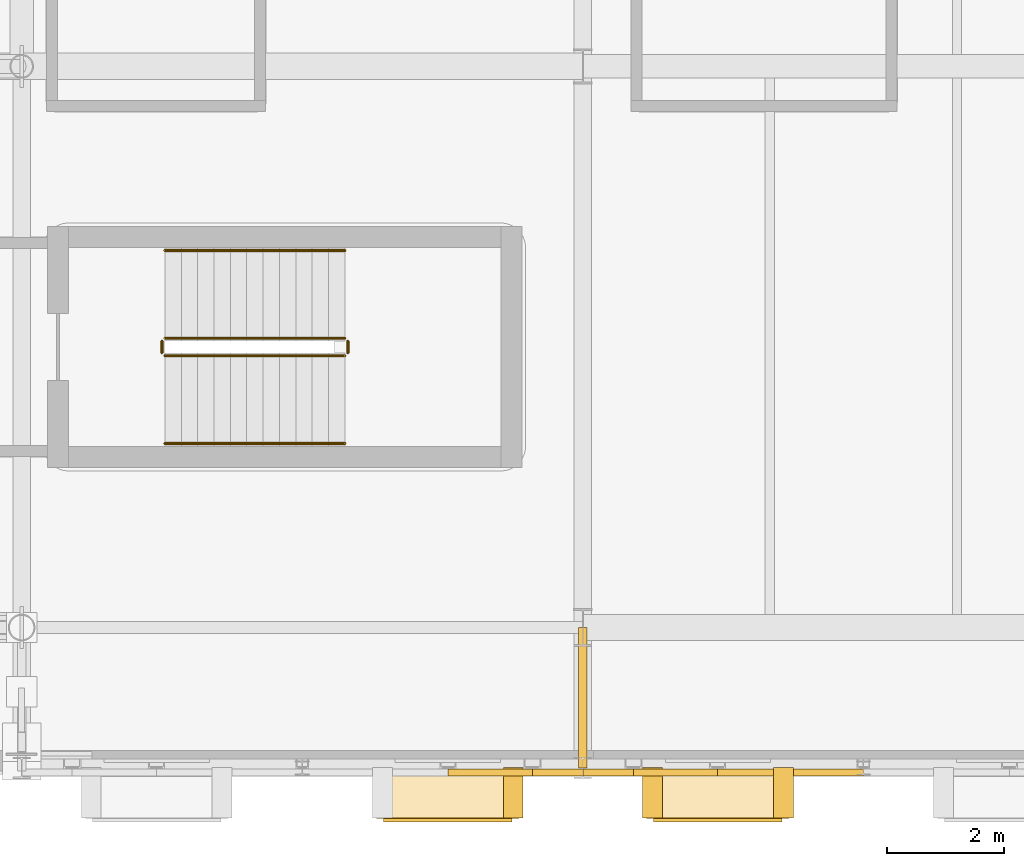
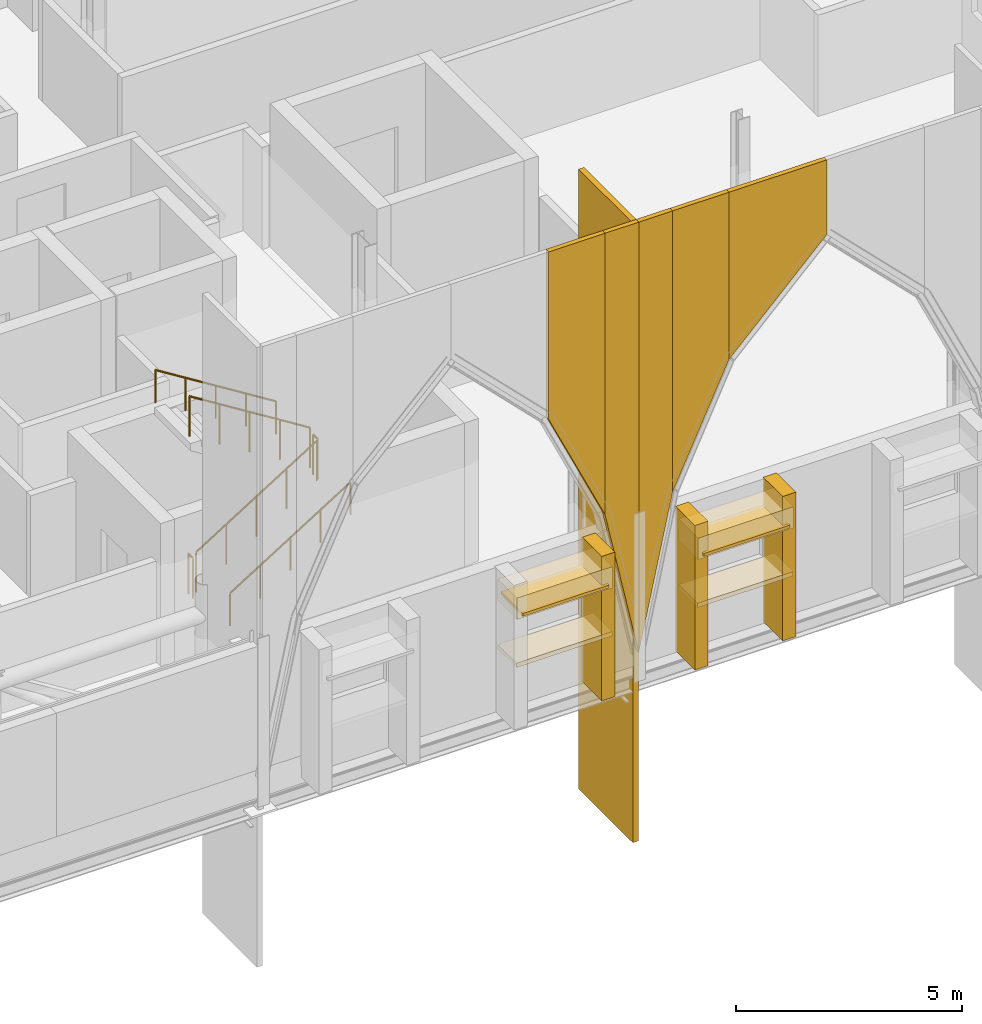
# One storey, part 72 of 90: 13 coverings, 6 railings, 2 shading devices.
"""IFC4 building model written with IfcOpenShell, lengths in metres."""

import ifcopenshell
import ifcopenshell.guid

model = None  # the IFC model being written
_history = None  # IfcOwnerHistory: only IFC2X3 demands one
_inside = {}  # id of a spatial element -> (the spatial element, [elements in it])
_under = {}  # id of a project, library or spatial element -> (it, [spatial elements below it])
_declared = {}  # id of a project -> (the project, [libraries it declares])
_typed = {}  # id of a type object -> (the type object, [elements of that type])
_made_of = {}  # id of a material, layer set ... -> (it, [elements and type objects made of it])


def new_model(schema):
    """Start an empty IFC model of exactly this schema.

    Asked for "IFC4X3", IfcOpenShell would pick the latest addendum, in which some entities
    have other attributes; the version numbers below select the first issue.
    IFC2X3 requires an IfcOwnerHistory on every rooted entity: one is made here for all.
    """
    global model, _history
    if schema == "IFC4X3":
        model = ifcopenshell.file(schema_version=(4, 3, 0, 0))
    else:
        model = ifcopenshell.file(schema=schema)
    _inside.clear()
    _under.clear()
    _declared.clear()
    _typed.clear()
    _made_of.clear()
    _history = None
    if model.schema == "IFC2X3":
        org = make("IfcOrganization", Name="unknown")
        user = make(
            "IfcPersonAndOrganization",
            ThePerson=make("IfcPerson", FamilyName="unknown"),
            TheOrganization=org,
        )
        app = make(
            "IfcApplication",
            ApplicationDeveloper=org,
            Version="unknown",
            ApplicationFullName="unknown",
            ApplicationIdentifier="unknown",
        )
        _history = make(
            "IfcOwnerHistory",
            OwningUser=user,
            OwningApplication=app,
            ChangeAction="ADDED",
            CreationDate=0,
        )
    return model


def make(cls, **values):
    """One entity of the class cls with the attributes given. An attribute that is None is left unset."""
    return model.create_entity(
        cls, **{name: value for name, value in values.items() if value is not None}
    )


def rooted(cls, **values):
    """An entity with a GlobalId (a new one), such as an element, a storey or a relation."""
    return make(cls, GlobalId=ifcopenshell.guid.new(), OwnerHistory=_history, **values)


def si_unit(unit_type, name, prefix=None):
    """IfcSIUnit, for example si_unit("LENGTHUNIT", "METRE", prefix="MILLI")."""
    return make("IfcSIUnit", UnitType=unit_type, Prefix=prefix, Name=name)


def assignment(units):
    """IfcUnitAssignment: the units of a project."""
    return None if units is None else make("IfcUnitAssignment", Units=units)


def point(xyz):
    """IfcCartesianPoint."""
    return None if xyz is None else make("IfcCartesianPoint", Coordinates=xyz)


def direction(xyz):
    """IfcDirection."""
    return None if xyz is None else make("IfcDirection", DirectionRatios=xyz)


def frame(location, z_axis=None, x_axis=None):
    """IfcAxis2Placement3D, a coordinate frame: its origin and axes. An axis left out is left unset."""
    return make(
        "IfcAxis2Placement3D",
        Location=point(location),
        Axis=direction(z_axis),
        RefDirection=direction(x_axis),
    )


def frame_2d(location, x_axis=None):
    """IfcAxis2Placement2D, a coordinate frame in the plane: its origin and x axis."""
    return make(
        "IfcAxis2Placement2D", Location=point(location), RefDirection=direction(x_axis)
    )


def origin():
    """The frame at (0, 0, 0) with its axes left unset."""
    return frame((0.0, 0.0, 0.0))


def origin_2d():
    """The frame at (0, 0) in the plane with its x axis left unset."""
    return frame_2d((0.0, 0.0))


def place(relative_to, where):
    """IfcLocalPlacement: puts the frame where relative to a parent placement (None: the world)."""
    return make(
        "IfcLocalPlacement", PlacementRelTo=relative_to, RelativePlacement=where
    )


def context(
    kind, dimensions, precision=None, world=None, true_north=None, identifier=None
):
    """IfcGeometricRepresentationContext, for example the 3D "Model" context."""
    return make(
        "IfcGeometricRepresentationContext",
        ContextIdentifier=identifier,
        ContextType=kind,
        CoordinateSpaceDimension=dimensions,
        Precision=precision,
        WorldCoordinateSystem=world,
        TrueNorth=true_north,
    )


def subcontext(parent, identifier, kind, view, scale=None):
    """IfcGeometricRepresentationSubContext, for example "Body" below "Model"."""
    return make(
        "IfcGeometricRepresentationSubContext",
        ContextIdentifier=identifier,
        ContextType=kind,
        ParentContext=parent,
        TargetScale=scale,
        TargetView=view,
    )


def project(units=None, contexts=None):
    """IfcProject with its units and contexts."""
    return rooted(
        "IfcProject",
        Name="project",
        RepresentationContexts=contexts,
        UnitsInContext=assignment(units),
    )


def spatial(cls, under=None, at=None, **own):
    """A site, building, storey or space (cls), placed at a placement, below another one or the project."""
    s = rooted(cls, ObjectPlacement=at, **own)
    if under is not None:
        _under.setdefault(under.id(), (under, []))[1].append(s)
    return s


def polyline(points):
    """IfcPolyline through the points."""
    return make("IfcPolyline", Points=[point(p) for p in points])


def profile(cls, at=None, kind="AREA", **sizes):
    """A parametric profile (cls). Its sizes go by their IFC names, for example OverallWidth=200.0."""
    return make(cls, ProfileType=kind, Position=at, **sizes)


def rectangle(**sizes):
    """IfcRectangleProfileDef."""
    return profile("IfcRectangleProfileDef", **sizes)


def circle(**sizes):
    """IfcCircleProfileDef."""
    return profile("IfcCircleProfileDef", **sizes)


def outline(outer, holes=None, kind="AREA"):
    """IfcArbitraryClosedProfileDef: a profile drawn as a closed curve; with holes, ...WithVoids."""
    if holes is None:
        return make("IfcArbitraryClosedProfileDef", ProfileType=kind, OuterCurve=outer)
    return make(
        "IfcArbitraryProfileDefWithVoids",
        ProfileType=kind,
        OuterCurve=outer,
        InnerCurves=holes,
    )


def extrude(swept, where, along, depth):
    """IfcExtrudedAreaSolid: the profile swept, set in the frame where, extruded along a direction by depth."""
    return make(
        "IfcExtrudedAreaSolid",
        SweptArea=swept,
        Position=where,
        ExtrudedDirection=direction(along),
        Depth=depth,
    )


def shape(context_of_items, identifier, shape_type, items):
    """IfcShapeRepresentation: the items that make up one representation, for example the "Body"."""
    return make(
        "IfcShapeRepresentation",
        ContextOfItems=context_of_items,
        RepresentationIdentifier=identifier,
        RepresentationType=shape_type,
        Items=items,
    )


def material(Name=None, Category=None):
    """IfcMaterial."""
    return make("IfcMaterial", Name=Name, Category=Category)


def layer(
    of_material, thickness, ventilated=None, Name=None, Category=None, Priority=None
):
    """IfcMaterialLayer: one layer of a wall or slab, of a material (None: an air gap)."""
    return make(
        "IfcMaterialLayer",
        Material=of_material,
        LayerThickness=thickness,
        IsVentilated=ventilated,
        Name=Name,
        Category=Category,
        Priority=Priority,
    )


def layer_set(layers, Name=None):
    """IfcMaterialLayerSet."""
    return make("IfcMaterialLayerSet", MaterialLayers=layers, LayerSetName=Name)


def made_of(thing, what):
    """Note that an element or type object is made of a material, layer set ...; save() writes the relation."""
    if what is not None:
        _made_of.setdefault(what.id(), (what, []))[1].append(thing)
    return thing


def type_object(cls, material=None, **own):
    """A type object (cls), such as IfcWallType, which elements share."""
    return made_of(rooted(cls, **own), material)


def element(
    cls,
    number,
    at=None,
    inside=None,
    cuts=None,
    type_object=None,
    material=None,
    context=None,
    identifier="Body",
    shape_type=None,
    held_by="IfcProductDefinitionShape",
    body=None,
    shapes=None,
    **own,
):
    """One element of the class cls, such as IfcWall. Its Tag is "e" and its number.

    at: its placement. inside: the storey or other place that contains it. cuts: it is an
    opening in that element (IfcRelVoidsElement). A single representation is given by context,
    identifier, shape_type and body (its items); several are given by shapes. held_by: the class
    of the entity that holds the representations. save() writes the other relations.
    """
    e = rooted(cls, Tag="e%d" % number, ObjectPlacement=at, **own)
    if body is not None:
        shapes = [shape(context, identifier, shape_type, body)]
    if shapes is not None:
        e.Representation = make(held_by, Representations=shapes)
    if inside is not None:
        _inside.setdefault(inside.id(), (inside, []))[1].append(e)
    if cuts is not None:
        rooted(
            "IfcRelVoidsElement", RelatingBuildingElement=cuts, RelatedOpeningElement=e
        )
    if type_object is not None:
        _typed.setdefault(type_object.id(), (type_object, []))[1].append(e)
    return made_of(e, material)


def aggregate(whole, parts):
    """IfcRelAggregates: a whole, such as a stair, and the parts it consists of."""
    return rooted("IfcRelAggregates", RelatingObject=whole, RelatedObjects=parts)


def save(model, path):
    """Write the relations noted so far, then the file.

    IfcRelAggregates (storeys below a building ...), IfcRelContainedInSpatialStructure (elements
    in a storey), IfcRelDefinesByType, IfcRelAssociatesMaterial and IfcRelDeclares: one each for
    every whole, place, type object, material and project.
    """
    for whole, parts in _under.values():
        aggregate(whole, parts)
    for where, things in _inside.values():
        rooted(
            "IfcRelContainedInSpatialStructure",
            RelatedElements=things,
            RelatingStructure=where,
        )
    for kind, things in _typed.values():
        rooted("IfcRelDefinesByType", RelatedObjects=things, RelatingType=kind)
    for what, things in _made_of.values():
        rooted("IfcRelAssociatesMaterial", RelatedObjects=things, RelatingMaterial=what)
    for by, libraries in _declared.values():
        rooted("IfcRelDeclares", RelatingContext=by, RelatedDefinitions=libraries)
    model.write(path)


model = new_model("IFC4")

# Units and contexts
model_context = context("Model", 3, precision=1e-05, world=origin(), true_north=direction((0.0, 1.0)))
body_context = subcontext(model_context, "Body", "Model", "MODEL_VIEW")
ifc_project = project(units=[si_unit("LENGTHUNIT", "METRE"), si_unit("AREAUNIT", "SQUARE_METRE"), si_unit("VOLUMEUNIT", "CUBIC_METRE"), si_unit("PLANEANGLEUNIT", "RADIAN"), si_unit("MASSUNIT", "GRAM", prefix="KILO")], contexts=[model_context])

# Site, building, storey
site_placement = place(None, origin())
site = spatial("IfcSite", under=ifc_project, at=site_placement, CompositionType="ELEMENT")
building_placement = place(site_placement, origin())
building = spatial("IfcBuilding", under=site, at=building_placement, Name="Zereglee Splitstone Museum", CompositionType="ELEMENT")
storey_placement = place(building_placement, frame((0.0, 0.0, 4.800048828125)))
storey = spatial("IfcBuildingStorey", under=building, at=storey_placement, Name="L01", CompositionType="ELEMENT", Elevation=4.800048828125)

# Coverings
ifc_material_1 = material(Name="Honed Gobi pale limestone stringcourse and soffit cladding", Category="masonry")
ifc_layer_1 = layer(ifc_material_1, 0.070068359375)
ifc_layer_set_1 = layer_set([ifc_layer_1], Name="Honed Gobi pale limestone stringcourse and soffit cladding")
covering_type_1 = type_object("IfcCoveringType", Name="CL-02", PredefinedType="CLADDING", material=ifc_layer_set_1)
covering_1_placement = place(storey_placement, frame((28.81005859375, -2.824951171875, 0.0), z_axis=(0.0, 0.0, 1.0), x_axis=(1.0, 0.0, 0.0)))
element("IfcCovering", 1, at=covering_1_placement, inside=storey, type_object=covering_type_1, Name="Mughal Window Reveal Stone Pilaster L01-0022R", PredefinedType="CLADDING", context=body_context, shape_type="SweptSolid", body=[
    extrude(rectangle(XDim=0.340087890625, YDim=0.860107421875, at=origin_2d()), origin(), (0.0, 0.0, 1.0), 3.89990234375),
])
covering_2_placement = place(storey_placement, frame((27.68994140625, -2.8349609375, 1.659912109375), z_axis=(0.0, 0.0, 1.0), x_axis=(1.0, 0.0, 0.0)))
element("IfcCovering", 2, at=covering_2_placement, inside=storey, type_object=covering_type_1, Name="Carved Limestone Window Sill L01-0022", PredefinedType="CLADDING", context=body_context, shape_type="SweptSolid", body=[
    extrude(rectangle(XDim=2.43994140625, YDim=0.840087890625, at=origin_2d()), origin(), (0.0, 0.0, 1.0), 0.1201171875),
])
for number, where, z_axis, x_axis, name in (
    (3, (31.18994140625, -2.824951171875, 0.0), (0.0, 0.0, 1.0), (1.0, 0.0, 0.0), "Mughal Window Reveal Stone Pilaster L01-0023L"),
    (4, (33.429931640625, -2.824951171875, 0.0), (0.0, 0.0, 1.0), (1.0, 0.0, 0.0), "Mughal Window Reveal Stone Pilaster L01-0023R"),
):
    element("IfcCovering", number, at=place(storey_placement, frame(where, z_axis=z_axis, x_axis=x_axis)), inside=storey, type_object=covering_type_1, Name=name, PredefinedType="CLADDING", context=body_context, shape_type="SweptSolid", body=[
        extrude(rectangle(XDim=0.340087890625, YDim=0.860107421875, at=origin_2d()), origin(), (0.0, 0.0, 1.0), 3.89990234375),
    ])
covering_3_placement = place(storey_placement, frame((32.31005859375, -2.8349609375, 1.659912109375), z_axis=(0.0, 0.0, 1.0), x_axis=(1.0, 0.0, 0.0)))
element("IfcCovering", 5, at=covering_3_placement, inside=storey, type_object=covering_type_1, Name="Carved Limestone Window Sill L01-0023", PredefinedType="CLADDING", context=body_context, shape_type="SweptSolid", body=[
    extrude(rectangle(XDim=2.43994140625, YDim=0.840087890625, at=origin_2d()), origin(), (0.0, 0.0, 1.0), 0.1201171875),
])
covering_4_placement = place(storey_placement, frame((0.0, 0.0, -4.800048828125)))
element("IfcCovering", 6, at=covering_4_placement, inside=storey, type_object=covering_type_1, Name="Mughal Iwan Stone Cheek Return PSQ-SV1-1", PredefinedType="CLADDING", context=body_context, shape_type="SweptSolid", body=[
    extrude(outline(polyline([(29.929931640625, -2.39990234375), (30.070068359375, -2.39990234375), (30.070068359375, 0.0), (29.929931640625, 0.0), (29.929931640625, -2.39990234375)])), origin(), (0.0, 0.0, 1.0), 16.72509765625),
])
ifc_material_2 = material(Name="Honed Khoroo red sandstone ventilated rainscreen", Category="masonry")
ifc_layer_2 = layer(ifc_material_2, 0.080078125)
ifc_layer_set_2 = layer_set([ifc_layer_2], Name="Honed Khoroo red sandstone ventilated rainscreen")
covering_type_2 = type_object("IfcCoveringType", Name="CL-01", PredefinedType="CLADDING", material=ifc_layer_set_2)
for number, where, z_axis, x_axis, name in (
    (7, (27.68994140625, -2.8349609375, 2.9599609375), (0.0, 0.0, 1.0), (1.0, 0.0, 0.0), "Pointed-Arch Mughal Window Hood L01-0022"),
    (8, (32.31005859375, -2.8349609375, 2.9599609375), (0.0, 0.0, 1.0), (1.0, 0.0, 0.0), "Pointed-Arch Mughal Window Hood L01-0023"),
):
    element("IfcCovering", number, at=place(storey_placement, frame(where, z_axis=z_axis, x_axis=x_axis)), inside=storey, type_object=covering_type_2, Name=name, PredefinedType="CLADDING", context=body_context, shape_type="SweptSolid", body=[
        extrude(rectangle(XDim=2.43994140625, YDim=0.860107421875, at=origin_2d()), origin(), (0.0, 0.0, 1.0), 0.580078125),
    ])
covering_5_placement = place(storey_placement, frame((27.696044921875, -2.5400390625, 7.50390625), z_axis=(0.0, -1.0, 0.0), x_axis=(0.424417283411, 0.0, -0.905466713658)))
element("IfcCovering", 9, at=covering_5_placement, inside=storey, type_object=covering_type_2, Name="Mughal Pishtaq Pointed-Arch Stone Voussoir PSQ-SV1-1-5", PredefinedType="CLADDING", context=body_context, shape_type="SweptSolid", body=[
    extrude(outline(polyline([(0.0, 0.0), (3.3927492176544387, 0.0), (-3.4734119459721713, 3.218359575861857), (-4.084547965883093, 1.914540562884724), (0.0, 0.0)])), origin(), (0.0, 0.0, -1.0), 0.1201171875),
])
covering_6_placement = place(storey_placement, frame((29.135986328125, -2.5400390625, 4.431884765625), z_axis=(0.0, -1.0, 0.0), x_axis=(0.209533132125, 0.0, -0.977801547627)))
element("IfcCovering", 10, at=covering_6_placement, inside=storey, type_object=covering_type_2, Name="Mughal Pishtaq Pointed-Arch Stone Voussoir PSQ-SV1-1-6", PredefinedType="CLADDING", context=body_context, shape_type="SweptSolid", body=[
    extrude(outline(polyline([(0.0, 0.0), (4.123518142981296, 1.1102230246251565e-16), (-7.233637283862723, 2.4337252834151366), (-7.414676774729905, 1.5888913778849005), (0.0, 0.0)])), origin(), (0.0, 0.0, -1.0), 0.1201171875),
])
covering_7_placement = place(storey_placement, frame((30.0, -2.5400390625, 0.39990234375), z_axis=(0.0, -1.0, 0.0), x_axis=(0.209533132125, 0.0, 0.977801547627)))
element("IfcCovering", 11, at=covering_7_placement, inside=storey, type_object=covering_type_2, Name="Mughal Pishtaq Pointed-Arch Stone Voussoir PSQ-SV1-2-1", PredefinedType="CLADDING", context=body_context, shape_type="SweptSolid", body=[
    extrude(outline(polyline([(0.0, 0.0), (4.123518142981296, -1.1102230246251565e-16), (11.538194917711202, 1.5888913778849005), (11.35715542684402, 2.4337252834151366), (0.0, 0.0)])), origin(), (0.0, 0.0, -1.0), 0.1201171875),
])
covering_8_placement = place(storey_placement, frame((30.864013671875, -2.5400390625, 4.431884765625), z_axis=(0.0, -1.0, 0.0), x_axis=(0.424417283411, 0.0, 0.905466713658)))
element("IfcCovering", 12, at=covering_8_placement, inside=storey, type_object=covering_type_2, Name="Mughal Pishtaq Pointed-Arch Stone Voussoir PSQ-SV1-2-2", PredefinedType="CLADDING", context=body_context, shape_type="SweptSolid", body=[
    extrude(outline(polyline([(0.0, 0.0), (3.3927492176544387, 0.0), (7.477297183537532, 1.914540562884724), (6.86616116362661, 3.218359575861857), (0.0, 0.0)])), origin(), (0.0, 0.0, -1.0), 0.1201171875),
])
covering_9_placement = place(storey_placement, frame((32.303955078125, -2.5400390625, 7.50390625), z_axis=(0.0, -1.0, 0.0), x_axis=(0.707106781187, 0.0, 0.707106781187)))
element("IfcCovering", 13, at=covering_9_placement, inside=storey, type_object=covering_type_2, Name="Mughal Pishtaq Pointed-Arch Stone Voussoir PSQ-SV1-2-3", PredefinedType="CLADDING", context=body_context, shape_type="SweptSolid", body=[
    extrude(outline(polyline([(0.0, 0.0), (3.530009634204718, 0.0), (4.954753839559351, 1.4247442053546333), (3.189749022456992, 3.189749022456992), (0.0, 0.0)])), origin(), (0.0, 0.0, -1.0), 0.1201171875),
])

# Railings
ifc_material_3 = material(Name="Painted steel S355J2 post-and-baluster guard", Category="steel")
railing_type_1 = type_object("IfcRailingType", Name="GR-03", PredefinedType="BALUSTRADE", material=ifc_material_3)
railing_1_placement = place(storey_placement, frame((22.85009765625, 4.64990234375, 0.175048828125)))
element("IfcRailing", 14, at=railing_1_placement, inside=storey, type_object=railing_type_1, Name="L01 ST-01 stair guard 1", PredefinedType="BALUSTRADE", context=body_context, shape_type="SweptSolid", body=[
    extrude(circle(Radius=0.02392578125, at=origin_2d()), frame((0.0, 0.0, 1.076416015625), z_axis=(0.848009633417, 0.0, 0.529980812513), x_axis=(0.0, 1.0, 0.0)), (0.0, 0.0, 1.0), 3.6318359375),
    extrude(circle(Radius=0.02099609375, at=origin_2d()), origin(), (0.0, 0.0, 1.0), 1.052001953125),
    extrude(circle(Radius=0.02099609375, at=origin_2d()), frame((0.77001953125, 0.0, 0.481201171875)), (0.0, 0.0, 1.0), 1.052001953125),
    extrude(circle(Radius=0.02099609375, at=origin_2d()), frame((1.5400390625, 0.0, 0.96240234375)), (0.0, 0.0, 1.0), 1.052001953125),
    extrude(circle(Radius=0.02099609375, at=origin_2d()), frame((2.309814453125, 0.0, 1.443603515625)), (0.0, 0.0, 1.0), 1.052001953125),
    extrude(circle(Radius=0.02099609375, at=origin_2d()), frame((3.079833984375, 0.0, 1.9248046875)), (0.0, 0.0, 1.0), 1.052001953125),
])
railing_2_placement = place(storey_placement, frame((25.97998046875, 4.699951171875, 2.099853515625)))
element("IfcRailing", 15, at=railing_2_placement, inside=storey, type_object=railing_type_1, Name="L01 ST-01 stair guard 2", PredefinedType="BALUSTRADE", context=body_context, shape_type="SweptSolid", body=[
    extrude(circle(Radius=0.02392578125, at=origin_2d()), frame((0.0, 0.0, 1.076416015625), z_axis=(0.0, 1.0, 0.0), x_axis=(-1.0, 0.0, 0.0)), (0.0, 0.0, 1.0), 0.199951171875),
    extrude(circle(Radius=0.02099609375, at=origin_2d()), origin(), (0.0, 0.0, 1.0), 1.052001953125),
    extrude(circle(Radius=0.02099609375, at=origin_2d()), frame((0.0, 0.199951171875, 0.0)), (0.0, 0.0, 1.0), 1.052001953125),
])
railing_3_placement = place(storey_placement, frame((25.929931640625, 4.949951171875, 2.27490234375)))
element("IfcRailing", 16, at=railing_3_placement, inside=storey, type_object=railing_type_1, Name="L01 ST-01 stair guard 3", PredefinedType="BALUSTRADE", context=body_context, shape_type="SweptSolid", body=[
    extrude(circle(Radius=0.02392578125, at=origin_2d()), frame((0.0, 0.0, 1.076416015625), z_axis=(-0.847979421464, 0.0, 0.530029150871), x_axis=(0.0, -1.0, 0.0)), (0.0, 0.0, 1.0), 3.632080078125),
    extrude(circle(Radius=0.02099609375, at=origin_2d()), origin(), (0.0, 0.0, 1.0), 1.052001953125),
    extrude(circle(Radius=0.02099609375, at=origin_2d()), frame((-0.77001953125, 0.0, 0.481201171875)), (0.0, 0.0, 1.0), 1.052001953125),
    extrude(circle(Radius=0.02099609375, at=origin_2d()), frame((-1.5400390625, 0.0, 0.96240234375)), (0.0, 0.0, 1.0), 1.052001953125),
    extrude(circle(Radius=0.02099609375, at=origin_2d()), frame((-2.309814453125, 0.0, 1.44384765625)), (0.0, 0.0, 1.0), 1.052001953125),
    extrude(circle(Radius=0.02099609375, at=origin_2d()), frame((-3.079833984375, 0.0, 1.925048828125)), (0.0, 0.0, 1.0), 1.052001953125),
])
railing_4_placement = place(storey_placement, frame((22.800048828125, 4.699951171875, 0.0)))
element("IfcRailing", 17, at=railing_4_placement, inside=storey, type_object=railing_type_1, Name="L01 ST-01 stair guard 4", PredefinedType="BALUSTRADE", context=body_context, shape_type="SweptSolid", body=[
    extrude(circle(Radius=0.02392578125, at=origin_2d()), frame((0.0, 0.0, 1.076416015625), z_axis=(0.0, 1.0, 0.0), x_axis=(-1.0, 0.0, 0.0)), (0.0, 0.0, 1.0), 0.199951171875),
    extrude(circle(Radius=0.02099609375, at=origin_2d()), origin(), (0.0, 0.0, 1.0), 1.052001953125),
    extrude(circle(Radius=0.02099609375, at=origin_2d()), frame((0.0, 0.199951171875, 0.0)), (0.0, 0.0, 1.0), 1.052001953125),
])
ifc_material_4 = material(Name="Architectural bronze tubular handrail", Category="steel")
railing_type_2 = type_object("IfcRailingType", Name="HR-01", PredefinedType="HANDRAIL", material=ifc_material_4)
railing_5_placement = place(storey_placement, frame((22.85009765625, 3.14990234375, 0.175048828125)))
element("IfcRailing", 18, at=railing_5_placement, inside=storey, type_object=railing_type_2, Name="L01 ST-01 stair handrail 1", PredefinedType="HANDRAIL", context=body_context, shape_type="SweptSolid", body=[
    extrude(circle(Radius=0.02392578125, at=origin_2d()), frame((0.0, 0.0, 0.8759765625), z_axis=(0.848009633417, 0.0, 0.529980812513), x_axis=(0.0, 1.0, 0.0)), (0.0, 0.0, 1.0), 3.6318359375),
    extrude(circle(Radius=0.02099609375, at=origin_2d()), origin(), (0.0, 0.0, 1.0), 0.851806640625),
    extrude(circle(Radius=0.02099609375, at=origin_2d()), frame((0.77001953125, 0.0, 0.481201171875)), (0.0, 0.0, 1.0), 0.851806640625),
    extrude(circle(Radius=0.02099609375, at=origin_2d()), frame((1.5400390625, 0.0, 0.96240234375)), (0.0, 0.0, 1.0), 0.851806640625),
    extrude(circle(Radius=0.02099609375, at=origin_2d()), frame((2.309814453125, 0.0, 1.443603515625)), (0.0, 0.0, 1.0), 0.851806640625),
    extrude(circle(Radius=0.02099609375, at=origin_2d()), frame((3.079833984375, 0.0, 1.9248046875)), (0.0, 0.0, 1.0), 0.851806640625),
])
railing_6_placement = place(storey_placement, frame((25.929931640625, 6.449951171875, 2.27490234375)))
element("IfcRailing", 19, at=railing_6_placement, inside=storey, type_object=railing_type_2, Name="L01 ST-01 stair handrail 2", PredefinedType="HANDRAIL", context=body_context, shape_type="SweptSolid", body=[
    extrude(circle(Radius=0.02392578125, at=origin_2d()), frame((0.0, 0.0, 0.8759765625), z_axis=(-0.847979421464, 0.0, 0.530029150871), x_axis=(0.0, -1.0, 0.0)), (0.0, 0.0, 1.0), 3.632080078125),
    extrude(circle(Radius=0.02099609375, at=origin_2d()), origin(), (0.0, 0.0, 1.0), 0.851806640625),
    extrude(circle(Radius=0.02099609375, at=origin_2d()), frame((-0.77001953125, 0.0, 0.481201171875)), (0.0, 0.0, 1.0), 0.851806640625),
    extrude(circle(Radius=0.02099609375, at=origin_2d()), frame((-1.5400390625, 0.0, 0.96240234375)), (0.0, 0.0, 1.0), 0.851806640625),
    extrude(circle(Radius=0.02099609375, at=origin_2d()), frame((-2.309814453125, 0.0, 1.44384765625)), (0.0, 0.0, 1.0), 0.851806640625),
    extrude(circle(Radius=0.02099609375, at=origin_2d()), frame((-3.079833984375, 0.0, 1.925048828125)), (0.0, 0.0, 1.0), 0.851806640625),
])

# Shading devices
ifc_material_5 = material(Name="Anodised bronze extruded aluminium chhajja brise-soleil", Category="aluminium")
ifc_layer_3 = layer(ifc_material_5, 0.080078125)
ifc_layer_set_3 = layer_set([ifc_layer_3], Name="Anodised bronze extruded aluminium chhajja brise-soleil")
shading_device_type = type_object("IfcShadingDeviceType", Name="SH-01", PredefinedType="SHUTTER", material=ifc_layer_set_3)
for number, where, z_axis, x_axis, name in (
    (20, (27.68994140625, -2.8349609375, 3.039794921875), (0.0, 0.0, 1.0), (1.0, 0.0, 0.0), "Chhajja Window Brise-Soleil 15"),
    (21, (32.31005859375, -2.8349609375, 3.039794921875), (0.0, 0.0, 1.0), (1.0, 0.0, 0.0), "Chhajja Window Brise-Soleil 16"),
):
    element("IfcShadingDevice", number, at=place(storey_placement, frame(where, z_axis=z_axis, x_axis=x_axis)), inside=storey, type_object=shading_device_type, Name=name, PredefinedType="SHUTTER", context=body_context, shape_type="SweptSolid", body=[
        extrude(rectangle(XDim=2.199951171875, YDim=0.97998046875, at=origin_2d()), origin(), (0.0, 0.0, 1.0), 0.080078125),
    ])

save(model, "model.ifc")
